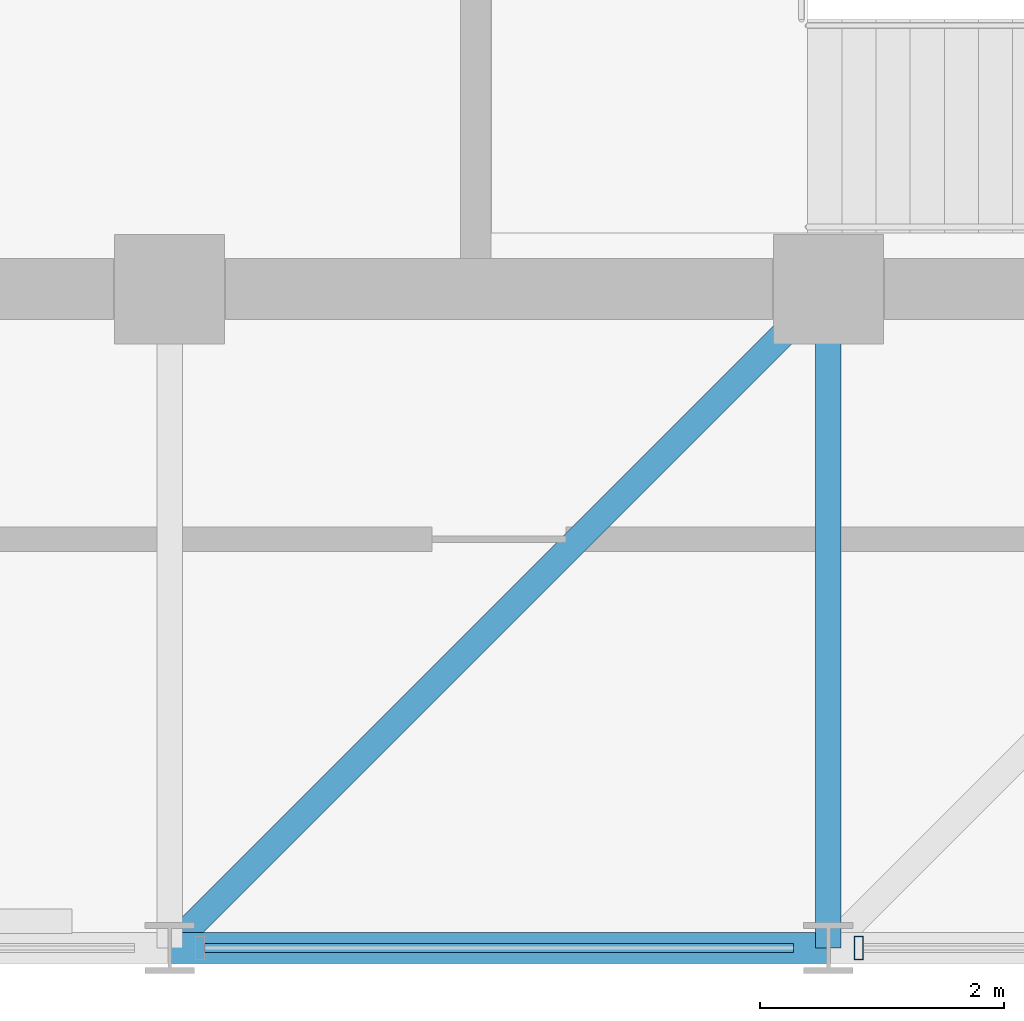
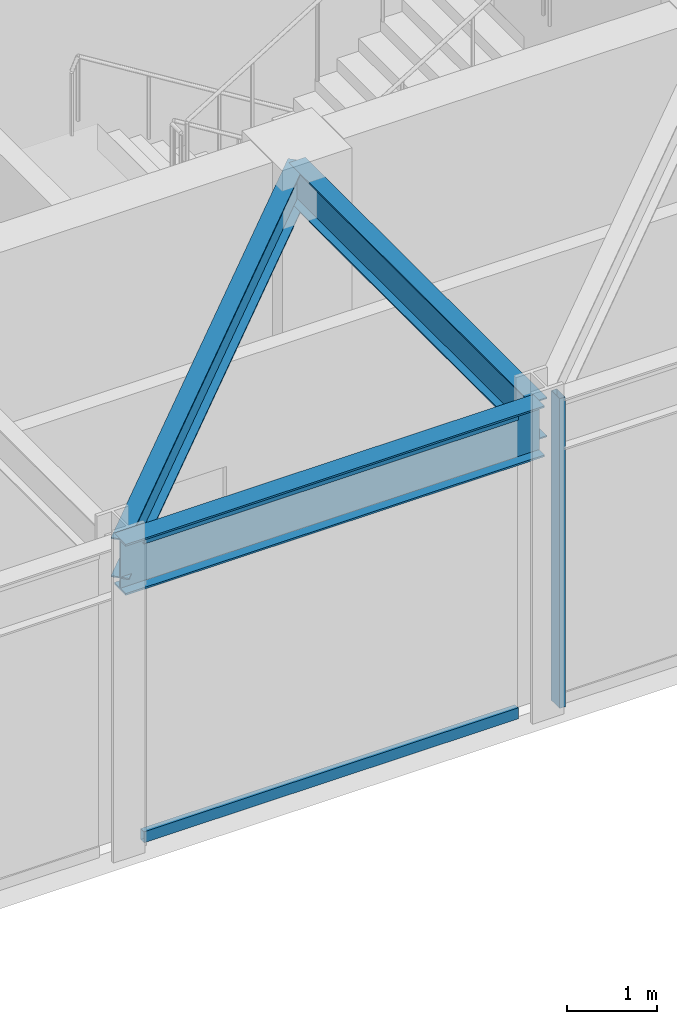
# One storey, part 5 of 21: 3 beams, 3 members, 1 element without a shape of its own.
"""IFC4 building model written with IfcOpenShell, lengths in metres."""

from ifc_helpers import new_model, si_unit, direction, frame, origin, origin_2d, place, context, subcontext, project, spatial, hollow_rectangle, i_section, extrude, material, layer, layer_set, material_profile, profile_set, type_object, element, aggregate, save


model = new_model("IFC4")

# Units and contexts
model_context = context("Model", 3, precision=1e-05, world=origin(), true_north=direction((0.0, 1.0)))
body_context = subcontext(model_context, "Body", "Model", "MODEL_VIEW")
ifc_project = project(units=[si_unit("LENGTHUNIT", "METRE"), si_unit("AREAUNIT", "SQUARE_METRE"), si_unit("VOLUMEUNIT", "CUBIC_METRE"), si_unit("PLANEANGLEUNIT", "RADIAN"), si_unit("MASSUNIT", "GRAM", prefix="KILO")], contexts=[model_context])

# Site, building, storey
site_placement = place(None, origin())
site = spatial("IfcSite", under=ifc_project, at=site_placement, CompositionType="ELEMENT")
building_placement = place(site_placement, origin())
building = spatial("IfcBuilding", under=site, at=building_placement, Name="Surkhivell Harbour Commons", CompositionType="ELEMENT")
storey_placement = place(building_placement, frame((0.0, 0.0, 346.5)))
storey = spatial("IfcBuildingStorey", under=building, at=storey_placement, Name="L90", CompositionType="ELEMENT", Elevation=346.5)

# Beams
ifc_material_1 = material(Name="Steel S355", Category="steel")
ifc_material_profile_1 = material_profile(ifc_material_1, i_section(OverallWidth=0.2099609375, OverallDepth=0.537109375, WebThickness=0.0107421875, FlangeThickness=0.017333984375, at=origin_2d()), Name="UB533x210x101")
ifc_profile_set_1 = profile_set([ifc_material_profile_1], Name="Steel S355")
beam_type_1 = type_object("IfcBeamType", Name="BM-GRD-533B", PredefinedType="BEAM", material=ifc_profile_set_1)
beam_1_placement = place(storey_placement, frame((0.0, -16.199951171875, 3.951416015625), z_axis=(0.707106781187, 0.707106781187, 0.0), x_axis=(-0.707106781187, 0.707106781187, 0.0)))
element("IfcBeam", 1, at=beam_1_placement, inside=storey, type_object=beam_type_1, Name="L90 Floor Girder (0.0,-16.2)", PredefinedType="BEAM", context=body_context, shape_type="SweptSolid", body=[
    extrude(i_section(OverallWidth=0.2099609375, OverallDepth=0.537109375, WebThickness=0.0107421875, FlangeThickness=0.017333984375, at=origin_2d()), origin(), (0.0, 0.0, 1.0), 7.63671875),
])
beam_2_placement = place(storey_placement, frame((5.39990234375, -16.199951171875, 3.951416015625), z_axis=(0.0, 1.0, 0.0), x_axis=(-1.0, 0.0, 0.0)))
element("IfcBeam", 2, at=beam_2_placement, inside=storey, type_object=beam_type_1, Name="L90 Floor Girder (5.4,-16.2)", PredefinedType="BEAM", context=body_context, shape_type="SweptSolid", body=[
    extrude(i_section(OverallWidth=0.2099609375, OverallDepth=0.537109375, WebThickness=0.0107421875, FlangeThickness=0.017333984375, at=origin_2d()), origin(), (0.0, 0.0, 1.0), 5.39990234375),
])
ifc_material_profile_2 = material_profile(ifc_material_1, i_section(OverallWidth=0.256103515625, OverallDepth=0.693115234375, WebThickness=0.014404296875, FlangeThickness=0.023681640625, at=origin_2d()), Name="UB686x254x170")
ifc_profile_set_2 = profile_set([ifc_material_profile_2], Name="Steel S355")
beam_type_2 = type_object("IfcBeamType", Name="BM-SPN-686", PredefinedType="SPANDREL", material=ifc_profile_set_2)
beam_3_placement = place(storey_placement, frame((0.0, -16.199951171875, 3.87353515625), z_axis=(1.0, 0.0, 0.0), x_axis=(0.0, 1.0, 0.0)))
element("IfcBeam", 3, at=beam_3_placement, inside=storey, type_object=beam_type_2, Name="L90 Tube Spandrel (0.0,-16.2)", PredefinedType="SPANDREL", context=body_context, shape_type="SweptSolid", body=[
    extrude(i_section(OverallWidth=0.256103515625, OverallDepth=0.693115234375, WebThickness=0.014404296875, FlangeThickness=0.023681640625, at=origin_2d()), origin(), (0.0, 0.0, 1.0), 5.39990234375),
])

# Curtain wall, members
ifc_material_2 = material(Name="Anodised pale-metal aluminium and insulated glazing", Category="aluminium")
ifc_layer = layer(ifc_material_2, 0.22998046875)
ifc_layer_set = layer_set([ifc_layer], Name="Anodised pale-metal aluminium and insulated glazing")
curtain_wall_type = type_object("IfcCurtainWallType", Name="CW-SYS-CRN", PredefinedType="NOTDEFINED", material=ifc_layer_set)
curtain_wall_placement = place(storey_placement, origin())
curtain_wall = element("IfcCurtainWall", 4, at=curtain_wall_placement, inside=storey, type_object=curtain_wall_type, Name="L90 Curtain Wall CW-L90-C06", PredefinedType="NOTDEFINED")
ifc_material_3 = material(Name="Anodised pale-metal aluminium alloy 6063-T6", Category="aluminium")
ifc_material_profile_3 = material_profile(ifc_material_3, hollow_rectangle(XDim=0.074951171875, YDim=0.18994140625, WallThickness=0.00390625, at=origin_2d()), Name="ALU-MULL-75x190")
ifc_profile_set_3 = profile_set([ifc_material_profile_3], Name="Anodised pale-metal aluminium alloy 6063-T6")
member_type_1 = type_object("IfcMemberType", Name="CWM-190", PredefinedType="MULLION", material=ifc_profile_set_3)
member_1_placement = place(storey_placement, frame((5.6494140625, -16.199951171875, 0.0), z_axis=(0.0, 0.0, 1.0), x_axis=(1.0, 0.0, 0.0)))
member_1 = element("IfcMember", 5, at=member_1_placement, type_object=member_type_1, Name="CW-CRN mullion 5", PredefinedType="MULLION", context=body_context, shape_type="SweptSolid", body=[
    extrude(hollow_rectangle(XDim=0.074951171875, YDim=0.18994140625, WallThickness=0.00390625, at=origin_2d()), origin(), (0.0, 0.0, 1.0), 4.219970703125),
])
ifc_material_profile_4 = material_profile(ifc_material_3, hollow_rectangle(XDim=0.074951171875, YDim=0.14990234375, WallThickness=0.00341796875, at=origin_2d()), Name="ALU-TRAN-75x150")
ifc_profile_set_4 = profile_set([ifc_material_profile_4], Name="Anodised pale-metal aluminium alloy 6063-T6")
member_type_2 = type_object("IfcMemberType", Name="CWT-150", PredefinedType="USERDEFINED", material=ifc_profile_set_4)
member_2_placement = place(storey_placement, frame((0.287109375, -16.199951171875, 0.074951171875), z_axis=(1.0, 0.0, 0.0), x_axis=(0.0, 1.0, 0.0)))
member_2 = element("IfcMember", 6, at=member_2_placement, type_object=member_type_2, Name="CW-CRN transom 4.1", ObjectType="TRANSOM", PredefinedType="USERDEFINED", context=body_context, shape_type="SweptSolid", body=[
    extrude(hollow_rectangle(XDim=0.074951171875, YDim=0.14990234375, WallThickness=0.00341796875, at=origin_2d()), origin(), (0.0, 0.0, 1.0), 4.825927734375),
])
member_3_placement = place(storey_placement, frame((0.287109375, -16.199951171875, 4.14501953125), z_axis=(1.0, 0.0, 0.0), x_axis=(0.0, 1.0, 0.0)))
member_3 = element("IfcMember", 7, at=member_3_placement, type_object=member_type_2, Name="CW-CRN transom 4.2", ObjectType="TRANSOM", PredefinedType="USERDEFINED", context=body_context, shape_type="SweptSolid", body=[
    extrude(hollow_rectangle(XDim=0.074951171875, YDim=0.14990234375, WallThickness=0.00341796875, at=origin_2d()), origin(), (0.0, 0.0, 1.0), 4.825927734375),
])
aggregate(curtain_wall, [member_2, member_3, member_1])

save(model, "model.ifc")
